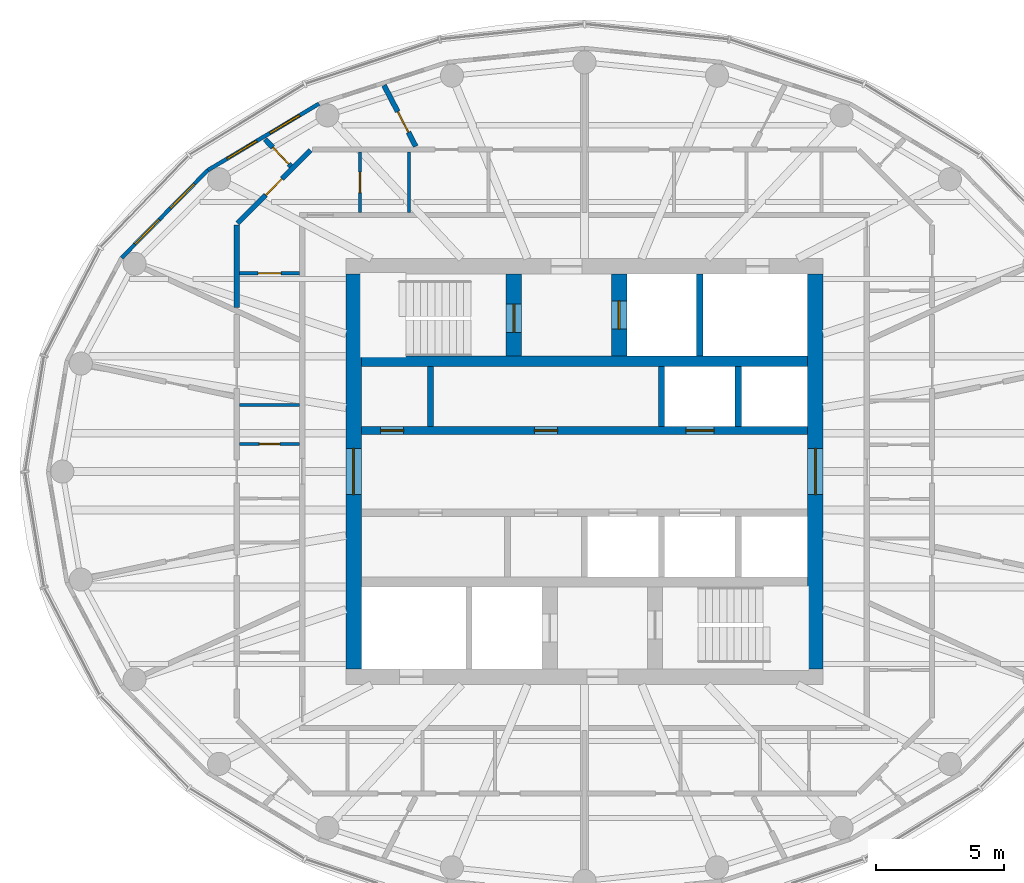
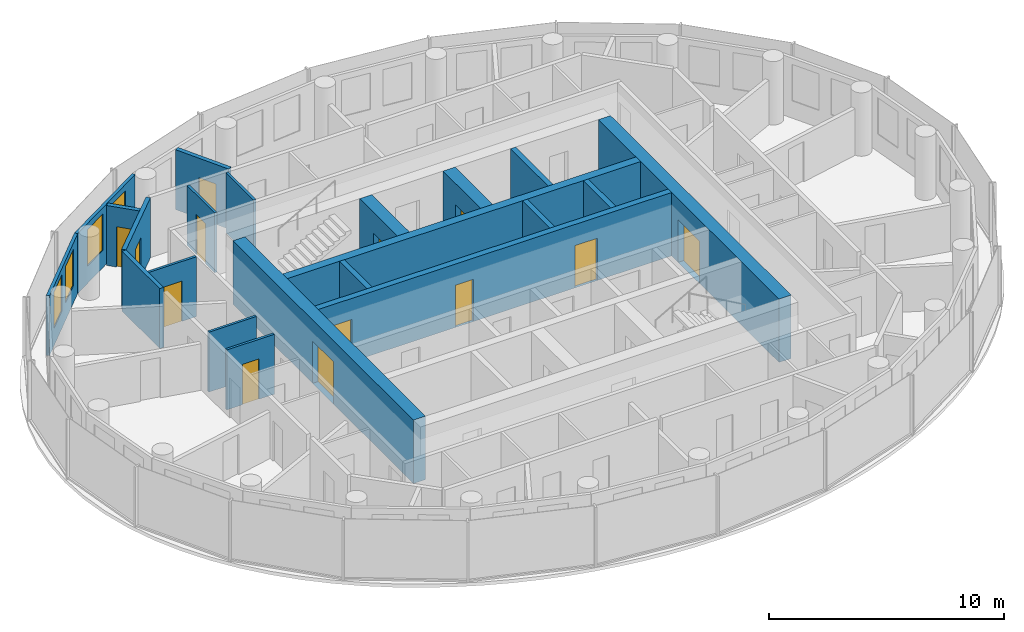
# One storey, part 7 of 11: 21 walls, 13 doors, 4 windows, 17 openings.
"""IFC4 building model written with IfcOpenShell, lengths in metres."""

import ifcopenshell
import ifcopenshell.guid

model = None  # the IFC model being written
_history = None  # IfcOwnerHistory: only IFC2X3 demands one
_inside = {}  # id of a spatial element -> (the spatial element, [elements in it])
_under = {}  # id of a project, library or spatial element -> (it, [spatial elements below it])
_declared = {}  # id of a project -> (the project, [libraries it declares])
_typed = {}  # id of a type object -> (the type object, [elements of that type])
_made_of = {}  # id of a material, layer set ... -> (it, [elements and type objects made of it])


def new_model(schema):
    """Start an empty IFC model of exactly this schema.

    Asked for "IFC4X3", IfcOpenShell would pick the latest addendum, in which some entities
    have other attributes; the version numbers below select the first issue.
    IFC2X3 requires an IfcOwnerHistory on every rooted entity: one is made here for all.
    """
    global model, _history
    if schema == "IFC4X3":
        model = ifcopenshell.file(schema_version=(4, 3, 0, 0))
    else:
        model = ifcopenshell.file(schema=schema)
    _inside.clear()
    _under.clear()
    _declared.clear()
    _typed.clear()
    _made_of.clear()
    _history = None
    if model.schema == "IFC2X3":
        org = make("IfcOrganization", Name="unknown")
        user = make(
            "IfcPersonAndOrganization",
            ThePerson=make("IfcPerson", FamilyName="unknown"),
            TheOrganization=org,
        )
        app = make(
            "IfcApplication",
            ApplicationDeveloper=org,
            Version="unknown",
            ApplicationFullName="unknown",
            ApplicationIdentifier="unknown",
        )
        _history = make(
            "IfcOwnerHistory",
            OwningUser=user,
            OwningApplication=app,
            ChangeAction="ADDED",
            CreationDate=0,
        )
    return model


def make(cls, **values):
    """One entity of the class cls with the attributes given. An attribute that is None is left unset."""
    return model.create_entity(
        cls, **{name: value for name, value in values.items() if value is not None}
    )


def rooted(cls, **values):
    """An entity with a GlobalId (a new one), such as an element, a storey or a relation."""
    return make(cls, GlobalId=ifcopenshell.guid.new(), OwnerHistory=_history, **values)


def si_unit(unit_type, name, prefix=None):
    """IfcSIUnit, for example si_unit("LENGTHUNIT", "METRE", prefix="MILLI")."""
    return make("IfcSIUnit", UnitType=unit_type, Prefix=prefix, Name=name)


def assignment(units):
    """IfcUnitAssignment: the units of a project."""
    return None if units is None else make("IfcUnitAssignment", Units=units)


def point(xyz):
    """IfcCartesianPoint."""
    return None if xyz is None else make("IfcCartesianPoint", Coordinates=xyz)


def direction(xyz):
    """IfcDirection."""
    return None if xyz is None else make("IfcDirection", DirectionRatios=xyz)


def frame(location, z_axis=None, x_axis=None):
    """IfcAxis2Placement3D, a coordinate frame: its origin and axes. An axis left out is left unset."""
    return make(
        "IfcAxis2Placement3D",
        Location=point(location),
        Axis=direction(z_axis),
        RefDirection=direction(x_axis),
    )


def frame_2d(location, x_axis=None):
    """IfcAxis2Placement2D, a coordinate frame in the plane: its origin and x axis."""
    return make(
        "IfcAxis2Placement2D", Location=point(location), RefDirection=direction(x_axis)
    )


def origin():
    """The frame at (0, 0, 0) with its axes left unset."""
    return frame((0.0, 0.0, 0.0))


def place(relative_to, where):
    """IfcLocalPlacement: puts the frame where relative to a parent placement (None: the world)."""
    return make(
        "IfcLocalPlacement", PlacementRelTo=relative_to, RelativePlacement=where
    )


def context(
    kind, dimensions, precision=None, world=None, true_north=None, identifier=None
):
    """IfcGeometricRepresentationContext, for example the 3D "Model" context."""
    return make(
        "IfcGeometricRepresentationContext",
        ContextIdentifier=identifier,
        ContextType=kind,
        CoordinateSpaceDimension=dimensions,
        Precision=precision,
        WorldCoordinateSystem=world,
        TrueNorth=true_north,
    )


def subcontext(parent, identifier, kind, view, scale=None):
    """IfcGeometricRepresentationSubContext, for example "Body" below "Model"."""
    return make(
        "IfcGeometricRepresentationSubContext",
        ContextIdentifier=identifier,
        ContextType=kind,
        ParentContext=parent,
        TargetScale=scale,
        TargetView=view,
    )


def project(units=None, contexts=None):
    """IfcProject with its units and contexts."""
    return rooted(
        "IfcProject",
        Name="project",
        RepresentationContexts=contexts,
        UnitsInContext=assignment(units),
    )


def spatial(cls, under=None, at=None, **own):
    """A site, building, storey or space (cls), placed at a placement, below another one or the project."""
    s = rooted(cls, ObjectPlacement=at, **own)
    if under is not None:
        _under.setdefault(under.id(), (under, []))[1].append(s)
    return s


def profile(cls, at=None, kind="AREA", **sizes):
    """A parametric profile (cls). Its sizes go by their IFC names, for example OverallWidth=200.0."""
    return make(cls, ProfileType=kind, Position=at, **sizes)


def rectangle(**sizes):
    """IfcRectangleProfileDef."""
    return profile("IfcRectangleProfileDef", **sizes)


def extrude(swept, where, along, depth):
    """IfcExtrudedAreaSolid: the profile swept, set in the frame where, extruded along a direction by depth."""
    return make(
        "IfcExtrudedAreaSolid",
        SweptArea=swept,
        Position=where,
        ExtrudedDirection=direction(along),
        Depth=depth,
    )


def shape(context_of_items, identifier, shape_type, items):
    """IfcShapeRepresentation: the items that make up one representation, for example the "Body"."""
    return make(
        "IfcShapeRepresentation",
        ContextOfItems=context_of_items,
        RepresentationIdentifier=identifier,
        RepresentationType=shape_type,
        Items=items,
    )


def material(Name=None, Category=None):
    """IfcMaterial."""
    return make("IfcMaterial", Name=Name, Category=Category)


def layer(
    of_material, thickness, ventilated=None, Name=None, Category=None, Priority=None
):
    """IfcMaterialLayer: one layer of a wall or slab, of a material (None: an air gap)."""
    return make(
        "IfcMaterialLayer",
        Material=of_material,
        LayerThickness=thickness,
        IsVentilated=ventilated,
        Name=Name,
        Category=Category,
        Priority=Priority,
    )


def layer_set(layers, Name=None):
    """IfcMaterialLayerSet."""
    return make("IfcMaterialLayerSet", MaterialLayers=layers, LayerSetName=Name)


def made_of(thing, what):
    """Note that an element or type object is made of a material, layer set ...; save() writes the relation."""
    if what is not None:
        _made_of.setdefault(what.id(), (what, []))[1].append(thing)
    return thing


def type_object(cls, material=None, **own):
    """A type object (cls), such as IfcWallType, which elements share."""
    return made_of(rooted(cls, **own), material)


def element(
    cls,
    number,
    at=None,
    inside=None,
    cuts=None,
    type_object=None,
    material=None,
    context=None,
    identifier="Body",
    shape_type=None,
    held_by="IfcProductDefinitionShape",
    body=None,
    shapes=None,
    **own,
):
    """One element of the class cls, such as IfcWall. Its Tag is "e" and its number.

    at: its placement. inside: the storey or other place that contains it. cuts: it is an
    opening in that element (IfcRelVoidsElement). A single representation is given by context,
    identifier, shape_type and body (its items); several are given by shapes. held_by: the class
    of the entity that holds the representations. save() writes the other relations.
    """
    e = rooted(cls, Tag="e%d" % number, ObjectPlacement=at, **own)
    if body is not None:
        shapes = [shape(context, identifier, shape_type, body)]
    if shapes is not None:
        e.Representation = make(held_by, Representations=shapes)
    if inside is not None:
        _inside.setdefault(inside.id(), (inside, []))[1].append(e)
    if cuts is not None:
        rooted(
            "IfcRelVoidsElement", RelatingBuildingElement=cuts, RelatedOpeningElement=e
        )
    if type_object is not None:
        _typed.setdefault(type_object.id(), (type_object, []))[1].append(e)
    return made_of(e, material)


def fill(opening, filler):
    """IfcRelFillsElement: the door or window that sits in an opening."""
    return rooted(
        "IfcRelFillsElement",
        RelatingOpeningElement=opening,
        RelatedBuildingElement=filler,
    )


def aggregate(whole, parts):
    """IfcRelAggregates: a whole, such as a stair, and the parts it consists of."""
    return rooted("IfcRelAggregates", RelatingObject=whole, RelatedObjects=parts)


def save(model, path):
    """Write the relations noted so far, then the file.

    IfcRelAggregates (storeys below a building ...), IfcRelContainedInSpatialStructure (elements
    in a storey), IfcRelDefinesByType, IfcRelAssociatesMaterial and IfcRelDeclares: one each for
    every whole, place, type object, material and project.
    """
    for whole, parts in _under.values():
        aggregate(whole, parts)
    for where, things in _inside.values():
        rooted(
            "IfcRelContainedInSpatialStructure",
            RelatedElements=things,
            RelatingStructure=where,
        )
    for kind, things in _typed.values():
        rooted("IfcRelDefinesByType", RelatedObjects=things, RelatingType=kind)
    for what, things in _made_of.values():
        rooted("IfcRelAssociatesMaterial", RelatedObjects=things, RelatingMaterial=what)
    for by, libraries in _declared.values():
        rooted("IfcRelDeclares", RelatingContext=by, RelatedDefinitions=libraries)
    model.write(path)


model = new_model("IFC4")

# Units and contexts
model_context = context("Model", 3, precision=1e-05, world=origin(), true_north=direction((0.0, 1.0)))
body_context = subcontext(model_context, "Body", "Model", "MODEL_VIEW")
ifc_project = project(units=[si_unit("LENGTHUNIT", "METRE"), si_unit("AREAUNIT", "SQUARE_METRE"), si_unit("VOLUMEUNIT", "CUBIC_METRE"), si_unit("PLANEANGLEUNIT", "RADIAN"), si_unit("MASSUNIT", "GRAM", prefix="KILO")], contexts=[model_context])

# Site, building, storey
site_placement = place(None, origin())
site = spatial("IfcSite", under=ifc_project, at=site_placement, CompositionType="ELEMENT")
building_placement = place(site_placement, origin())
building = spatial("IfcBuilding", under=site, at=building_placement, Name="Hankou Lantern Tower", CompositionType="ELEMENT")
storey_placement = place(building_placement, frame((0.0, 0.0, 225.89990234375)))
storey = spatial("IfcBuildingStorey", under=building, at=storey_placement, Name="L61", CompositionType="ELEMENT", Elevation=225.89990234375)

# Wall, opening, door
ifc_material_1 = material(Name="Concrete C60", Category="concrete")
ifc_layer_1 = layer(ifc_material_1, 0.60009765625)
ifc_layer_set_1 = layer_set([ifc_layer_1], Name="Concrete C60")
wall_type_1 = type_object("IfcWallType", Name="CW3 CORE WALL 600", PredefinedType="SHEAR", material=ifc_layer_set_1)
wall_1_placement = place(storey_placement, frame((9.0, -7.699951171875, 0.0), z_axis=(0.0, 0.0, 1.0), x_axis=(0.0, 1.0, 0.0)))
wall_1 = element("IfcWall", 1, at=wall_1_placement, inside=storey, type_object=wall_type_1, Name="Core wall east L61", PredefinedType="SHEAR", context=body_context, shape_type="SweptSolid", body=[
    extrude(rectangle(XDim=15.39990234375, YDim=0.60009765625, at=frame_2d((7.699951171875, 0.0))), origin(), (0.0, 0.0, 1.0), 3.300048828125),
])
opening_1_placement = place(wall_1_placement, frame((6.800048828125, 0.0, 0.0)))
opening_1 = element("IfcOpeningElement", 2, at=opening_1_placement, cuts=wall_1, Name="Opening D6", PredefinedType="OPENING", context=body_context, shape_type="SweptSolid", body=[
    extrude(rectangle(XDim=1.800048828125, YDim=2.199951171875, at=frame_2d((0.89990234375, 1.10009765625))), frame((0.0, 0.31005859375, 0.0), z_axis=(0.0, -1.0, 0.0), x_axis=(1.0, 0.0, 0.0)), (0.0, 0.0, 1.0), 0.6201171875),
])
ifc_material_2 = material(Name="Steel door leaf", Category="steel")
door_type_1 = type_object("IfcDoorType", Name="D6 LIFT LOBBY DOOR 1800X2200", OperationType="DOUBLE_DOOR_DOUBLE_SWING", PredefinedType="DOOR", material=ifc_material_2)
door_1_placement = place(opening_1_placement, origin())
door_1 = element("IfcDoor", 3, at=door_1_placement, inside=storey, type_object=door_type_1, Name="Lift lobby east door", OperationType="DOUBLE_DOOR_DOUBLE_SWING", OverallHeight=2.199951171875, OverallWidth=1.800048828125, PredefinedType="DOOR", context=body_context, shape_type="SweptSolid", body=[
    extrude(rectangle(XDim=1.800048828125, YDim=2.199951171875, at=frame_2d((0.89990234375, 1.10009765625))), frame((0.0, 0.02490234375, 0.0), z_axis=(0.0, -1.0, 0.0), x_axis=(1.0, 0.0, 0.0)), (0.0, 0.0, 1.0), 0.050048828125),
])
fill(opening_1, door_1)

wall_2_placement = place(storey_placement, frame((-9.0, 7.699951171875, 0.0), z_axis=(0.0, 0.0, 1.0), x_axis=(0.0, -1.0, 0.0)))
wall_2 = element("IfcWall", 4, at=wall_2_placement, inside=storey, type_object=wall_type_1, Name="Core wall west L61", PredefinedType="SHEAR", context=body_context, shape_type="SweptSolid", body=[
    extrude(rectangle(XDim=15.39990234375, YDim=0.60009765625, at=frame_2d((7.699951171875, 0.0))), origin(), (0.0, 0.0, 1.0), 3.300048828125),
])
opening_2_placement = place(wall_2_placement, frame((6.800048828125, 0.0, 0.0)))
opening_2 = element("IfcOpeningElement", 5, at=opening_2_placement, cuts=wall_2, Name="Opening D6", PredefinedType="OPENING", context=body_context, shape_type="SweptSolid", body=[
    extrude(rectangle(XDim=1.800048828125, YDim=2.199951171875, at=frame_2d((0.89990234375, 1.10009765625))), frame((0.0, 0.31005859375, 0.0), z_axis=(0.0, -1.0, 0.0), x_axis=(1.0, 0.0, 0.0)), (0.0, 0.0, 1.0), 0.6201171875),
])
door_2_placement = place(opening_2_placement, origin())
door_2 = element("IfcDoor", 6, at=door_2_placement, inside=storey, type_object=door_type_1, Name="Lift lobby west door", OperationType="DOUBLE_DOOR_DOUBLE_SWING", OverallHeight=2.199951171875, OverallWidth=1.800048828125, PredefinedType="DOOR", context=body_context, shape_type="SweptSolid", body=[
    extrude(rectangle(XDim=1.800048828125, YDim=2.199951171875, at=frame_2d((0.89990234375, 1.10009765625))), frame((0.0, 0.02490234375, 0.0), z_axis=(0.0, -1.0, 0.0), x_axis=(1.0, 0.0, 0.0)), (0.0, 0.0, 1.0), 0.050048828125),
])
fill(opening_2, door_2)

# Wall
ifc_material_3 = material(Name="Concrete C60", Category="concrete")
ifc_layer_2 = layer(ifc_material_3, 0.39990234375)
ifc_layer_set_2 = layer_set([ifc_layer_2], Name="Concrete C60")
wall_type_2 = type_object("IfcWallType", Name="CW4 CORE CROSS WALL 400", PredefinedType="SHEAR", material=ifc_layer_set_2)
wall_3_placement = place(storey_placement, frame((-8.699951171875, 4.300048828125, 0.0), z_axis=(0.0, 0.0, 1.0), x_axis=(1.0, 0.0, 0.0)))
element("IfcWall", 7, at=wall_3_placement, inside=storey, type_object=wall_type_2, Name="Core band wall north L61", PredefinedType="SHEAR", context=body_context, shape_type="SweptSolid", body=[
    extrude(rectangle(XDim=17.39990234375, YDim=0.39990234375, at=frame_2d((8.699951171875, 0.0))), origin(), (0.0, 0.0, 1.0), 3.300048828125),
])

# Wall, openings, doors
ifc_material_4 = material(Name="Concrete C60", Category="concrete")
ifc_layer_3 = layer(ifc_material_4, 0.300048828125)
ifc_layer_set_3 = layer_set([ifc_layer_3], Name="Concrete C60")
wall_type_3 = type_object("IfcWallType", Name="CW5 LIFT LOBBY WALL 300", PredefinedType="SHEAR", material=ifc_layer_set_3)
wall_4_placement = place(storey_placement, frame((-8.699951171875, 1.60009765625, 0.0), z_axis=(0.0, 0.0, 1.0), x_axis=(1.0, 0.0, 0.0)))
wall_4 = element("IfcWall", 8, at=wall_4_placement, inside=storey, type_object=wall_type_3, Name="Lift lobby wall north L61", PredefinedType="SHEAR", context=body_context, shape_type="SweptSolid", body=[
    extrude(rectangle(XDim=17.39990234375, YDim=0.300048828125, at=frame_2d((8.699951171875, 0.0))), origin(), (0.0, 0.0, 1.0), 3.300048828125),
])
opening_3_placement = place(wall_4_placement, frame((12.64990234375, 0.0, 0.0)))
opening_3 = element("IfcOpeningElement", 9, at=opening_3_placement, cuts=wall_4, Name="Opening LD1", PredefinedType="OPENING", context=body_context, shape_type="SweptSolid", body=[
    extrude(rectangle(XDim=1.10009765625, YDim=2.199951171875, at=frame_2d((0.550048828125, 1.10009765625))), frame((0.0, 0.159912109375, 0.0), z_axis=(0.0, -1.0, 0.0), x_axis=(1.0, 0.0, 0.0)), (0.0, 0.0, 1.0), 0.320068359375),
])
opening_4_placement = place(wall_4_placement, frame((0.75, 0.0, 0.0)))
opening_4 = element("IfcOpeningElement", 10, at=opening_4_placement, cuts=wall_4, Name="Opening D30", PredefinedType="OPENING", context=body_context, shape_type="SweptSolid", body=[
    extrude(rectangle(XDim=0.89990234375, YDim=2.199951171875, at=frame_2d((0.449951171875, 1.10009765625))), frame((0.0, 0.159912109375, 0.0), z_axis=(0.0, -1.0, 0.0), x_axis=(1.0, 0.0, 0.0)), (0.0, 0.0, 1.0), 0.320068359375),
])
opening_5_placement = place(wall_4_placement, frame((6.75, 0.0, 0.0)))
opening_5 = element("IfcOpeningElement", 11, at=opening_5_placement, cuts=wall_4, Name="Opening D30", PredefinedType="OPENING", context=body_context, shape_type="SweptSolid", body=[
    extrude(rectangle(XDim=0.89990234375, YDim=2.199951171875, at=frame_2d((0.449951171875, 1.10009765625))), frame((0.0, 0.159912109375, 0.0), z_axis=(0.0, -1.0, 0.0), x_axis=(1.0, 0.0, 0.0)), (0.0, 0.0, 1.0), 0.320068359375),
])
ifc_material_5 = material(Name="Steel door leaf", Category="steel")
door_type_2 = type_object("IfcDoorType", Name="D30 CORE ROOM DOOR 900X2200", OperationType="SINGLE_SWING_LEFT", PredefinedType="DOOR", material=ifc_material_5)
door_3_placement = place(opening_4_placement, origin())
door_3 = element("IfcDoor", 12, at=door_3_placement, inside=storey, type_object=door_type_2, Name="Staff locker room door", OperationType="SINGLE_SWING_LEFT", OverallHeight=2.199951171875, OverallWidth=0.89990234375, PredefinedType="DOOR", context=body_context, shape_type="SweptSolid", body=[
    extrude(rectangle(XDim=0.89990234375, YDim=2.199951171875, at=frame_2d((0.449951171875, 1.10009765625))), frame((0.0, 0.02490234375, 0.0), z_axis=(0.0, -1.0, 0.0), x_axis=(1.0, 0.0, 0.0)), (0.0, 0.0, 1.0), 0.050048828125),
])
fill(opening_4, door_3)
door_4_placement = place(opening_5_placement, origin())
door_4 = element("IfcDoor", 13, at=door_4_placement, inside=storey, type_object=door_type_2, Name="Housekeeping and linen store door", OperationType="SINGLE_SWING_LEFT", OverallHeight=2.199951171875, OverallWidth=0.89990234375, PredefinedType="DOOR", context=body_context, shape_type="SweptSolid", body=[
    extrude(rectangle(XDim=0.89990234375, YDim=2.199951171875, at=frame_2d((0.449951171875, 1.10009765625))), frame((0.0, 0.02490234375, 0.0), z_axis=(0.0, -1.0, 0.0), x_axis=(1.0, 0.0, 0.0)), (0.0, 0.0, 1.0), 0.050048828125),
])
fill(opening_5, door_4)
ifc_material_6 = material(Name="Steel door leaf", Category="steel")
door_type_3 = type_object("IfcDoorType", Name="LD1 LIFT LANDING DOOR 1100X2200", OperationType="DOUBLE_DOOR_SLIDING", PredefinedType="DOOR", material=ifc_material_6)
door_5_placement = place(opening_3_placement, origin())
door_5 = element("IfcDoor", 14, at=door_5_placement, inside=storey, type_object=door_type_3, Name="Lift T1 landing door", OperationType="DOUBLE_DOOR_SLIDING", OverallHeight=2.199951171875, OverallWidth=1.10009765625, PredefinedType="DOOR", context=body_context, shape_type="SweptSolid", body=[
    extrude(rectangle(XDim=1.10009765625, YDim=2.199951171875, at=frame_2d((0.550048828125, 1.10009765625))), frame((0.0, 0.02490234375, 0.0), z_axis=(0.0, -1.0, 0.0), x_axis=(1.0, 0.0, 0.0)), (0.0, 0.0, 1.0), 0.050048828125),
])
fill(opening_3, door_5)

# Wall, opening, door
ifc_material_7 = material(Name="Concrete C60", Category="concrete")
ifc_layer_4 = layer(ifc_material_7, 0.60009765625)
ifc_layer_set_4 = layer_set([ifc_layer_4], Name="Concrete C60")
wall_type_4 = type_object("IfcWallType", Name="CW6 STAIR AND SHAFT WALL 600", PredefinedType="SHEAR", material=ifc_layer_set_4)
wall_5_placement = place(storey_placement, frame((-2.75, 4.5, 0.0), z_axis=(0.0, 0.0, 1.0), x_axis=(0.0, 1.0, 0.0)))
wall_5 = element("IfcWall", 15, at=wall_5_placement, inside=storey, type_object=wall_type_4, Name="Stair wall L61", PredefinedType="SHEAR", context=body_context, shape_type="SweptSolid", body=[
    extrude(rectangle(XDim=3.199951171875, YDim=0.60009765625, at=frame_2d((1.60009765625, 0.0))), origin(), (0.0, 0.0, 1.0), 3.300048828125),
])
opening_6_placement = place(wall_5_placement, frame((0.925048828125, 0.0, 0.0)))
opening_6 = element("IfcOpeningElement", 16, at=opening_6_placement, cuts=wall_5, Name="Opening D4", PredefinedType="OPENING", context=body_context, shape_type="SweptSolid", body=[
    extrude(rectangle(XDim=1.10009765625, YDim=2.199951171875, at=frame_2d((0.550048828125, 1.10009765625))), frame((0.0, 0.31005859375, 0.0), z_axis=(0.0, -1.0, 0.0), x_axis=(1.0, 0.0, 0.0)), (0.0, 0.0, 1.0), 0.6201171875),
])
ifc_material_8 = material(Name="Steel door leaf", Category="steel")
door_type_4 = type_object("IfcDoorType", Name="D4 STAIR DOOR 1100X2200", OperationType="SINGLE_SWING_LEFT", PredefinedType="DOOR", material=ifc_material_8)
door_6_placement = place(opening_6_placement, origin())
door_6 = element("IfcDoor", 17, at=door_6_placement, inside=storey, type_object=door_type_4, Name="Stair A door", OperationType="SINGLE_SWING_LEFT", OverallHeight=2.199951171875, OverallWidth=1.10009765625, PredefinedType="DOOR", context=body_context, shape_type="SweptSolid", body=[
    extrude(rectangle(XDim=1.10009765625, YDim=2.199951171875, at=frame_2d((0.550048828125, 1.10009765625))), frame((0.0, 0.02490234375, 0.0), z_axis=(0.0, -1.0, 0.0), x_axis=(1.0, 0.0, 0.0)), (0.0, 0.0, 1.0), 0.050048828125),
])
fill(opening_6, door_6)

wall_6_placement = place(storey_placement, frame((1.35009765625, 4.5, 0.0), z_axis=(0.0, 0.0, 1.0), x_axis=(0.0, 1.0, 0.0)))
wall_6 = element("IfcWall", 18, at=wall_6_placement, inside=storey, type_object=wall_type_4, Name="Firefighting lift shaft wall L61", PredefinedType="SHEAR", context=body_context, shape_type="SweptSolid", body=[
    extrude(rectangle(XDim=3.199951171875, YDim=0.60009765625, at=frame_2d((1.60009765625, 0.0))), origin(), (0.0, 0.0, 1.0), 3.300048828125),
])
opening_7_placement = place(wall_6_placement, frame((1.050048828125, 0.0, 0.0)))
opening_7 = element("IfcOpeningElement", 19, at=opening_7_placement, cuts=wall_6, Name="Opening LD2", PredefinedType="OPENING", context=body_context, shape_type="SweptSolid", body=[
    extrude(rectangle(XDim=1.10009765625, YDim=2.199951171875, at=frame_2d((0.550048828125, 1.10009765625))), frame((0.0, 0.31005859375, 0.0), z_axis=(0.0, -1.0, 0.0), x_axis=(1.0, 0.0, 0.0)), (0.0, 0.0, 1.0), 0.6201171875),
])
ifc_material_9 = material(Name="Steel door leaf", Category="steel")
door_type_5 = type_object("IfcDoorType", Name="LD2 FIREFIGHTING LIFT LANDING DOOR 1100X2200", OperationType="DOUBLE_DOOR_SLIDING", PredefinedType="DOOR", material=ifc_material_9)
door_7_placement = place(opening_7_placement, origin())
door_7 = element("IfcDoor", 20, at=door_7_placement, inside=storey, type_object=door_type_5, Name="Firefighting lift FL1 landing door", OperationType="DOUBLE_DOOR_SLIDING", OverallHeight=2.199951171875, OverallWidth=1.10009765625, PredefinedType="DOOR", context=body_context, shape_type="SweptSolid", body=[
    extrude(rectangle(XDim=1.10009765625, YDim=2.199951171875, at=frame_2d((0.550048828125, 1.10009765625))), frame((0.0, 0.02490234375, 0.0), z_axis=(0.0, -1.0, 0.0), x_axis=(1.0, 0.0, 0.0)), (0.0, 0.0, 1.0), 0.050048828125),
])
fill(opening_7, door_7)

# Wall, openings, windows
ifc_material_10 = material(Name="Aluminium spandrel panel on steel studs", Category="steel")
ifc_layer_5 = layer(ifc_material_10, 0.14990234375)
ifc_layer_set_5 = layer_set([ifc_layer_5], Name="Aluminium spandrel panel on steel studs")
wall_type_5 = type_object("IfcWallType", Name="EW1 INNER SKIN WALL 150", PredefinedType="ELEMENTEDWALL", material=ifc_layer_set_5)
wall_7_placement = place(storey_placement, frame((-10.346435546875, 14.33642578125, 0.0), z_axis=(0.0, 0.0, 1.0), x_axis=(-0.85822150553, -0.513279502265, 0.0)))
wall_7 = element("IfcWall", 21, at=wall_7_placement, inside=storey, type_object=wall_type_5, Name="Inner skin R09-R10 L61", PredefinedType="ELEMENTEDWALL", context=body_context, shape_type="SweptSolid", body=[
    extrude(rectangle(XDim=5.050048828125, YDim=0.14990234375, at=frame_2d((2.52490234375, 0.0))), origin(), (0.0, 0.0, 1.0), 3.1201171875),
])
opening_8_placement = place(wall_7_placement, frame((0.875, 0.0, 0.89990234375)))
opening_8 = element("IfcOpeningElement", 22, at=opening_8_placement, cuts=wall_7, Name="Opening W4", PredefinedType="OPENING", context=body_context, shape_type="SweptSolid", body=[
    extrude(rectangle(XDim=1.35009765625, YDim=1.89990234375, at=frame_2d((0.675048828125, 0.949951171875))), frame((0.0, 0.0849609375, 0.0), z_axis=(0.0, -1.0, 0.0), x_axis=(1.0, 0.0, 0.0)), (0.0, 0.0, 1.0), 0.169921875),
])
opening_9_placement = place(wall_7_placement, frame((2.824951171875, 0.0, 0.89990234375)))
opening_9 = element("IfcOpeningElement", 23, at=opening_9_placement, cuts=wall_7, Name="Opening W4", PredefinedType="OPENING", context=body_context, shape_type="SweptSolid", body=[
    extrude(rectangle(XDim=1.35009765625, YDim=1.89990234375, at=frame_2d((0.675048828125, 0.949951171875))), frame((0.0, 0.0849609375, 0.0), z_axis=(0.0, -1.0, 0.0), x_axis=(1.0, 0.0, 0.0)), (0.0, 0.0, 1.0), 0.169921875),
])
ifc_material_11 = material(Name="Aluminium framed double glazed window", Category="aluminium")
window_type = type_object("IfcWindowType", Name="W4 SUITE WINDOW 1350X1900", PartitioningType="DOUBLE_PANEL_VERTICAL", PredefinedType="WINDOW", material=ifc_material_11)
window_1_placement = place(opening_8_placement, origin())
window_1 = element("IfcWindow", 24, at=window_1_placement, inside=storey, type_object=window_type, Name="Window R09.1 L61", OverallHeight=1.89990234375, OverallWidth=1.35009765625, PartitioningType="SINGLE_PANEL", PredefinedType="WINDOW", context=body_context, shape_type="SweptSolid", body=[
    extrude(rectangle(XDim=1.35009765625, YDim=1.89990234375, at=frame_2d((0.675048828125, 0.949951171875))), frame((0.0, 0.030029296875, 0.0), z_axis=(0.0, -1.0, 0.0), x_axis=(1.0, 0.0, 0.0)), (0.0, 0.0, 1.0), 0.06005859375),
])
fill(opening_8, window_1)
window_2_placement = place(opening_9_placement, origin())
window_2 = element("IfcWindow", 25, at=window_2_placement, inside=storey, type_object=window_type, Name="Window R09.2 L61", OverallHeight=1.89990234375, OverallWidth=1.35009765625, PartitioningType="SINGLE_PANEL", PredefinedType="WINDOW", context=body_context, shape_type="SweptSolid", body=[
    extrude(rectangle(XDim=1.35009765625, YDim=1.89990234375, at=frame_2d((0.675048828125, 0.949951171875))), frame((0.0, 0.030029296875, 0.0), z_axis=(0.0, -1.0, 0.0), x_axis=(1.0, 0.0, 0.0)), (0.0, 0.0, 1.0), 0.06005859375),
])
fill(opening_9, window_2)

wall_8_placement = place(storey_placement, frame((-14.680419921875, 11.744384765625, 0.0), z_axis=(0.0, 0.0, 1.0), x_axis=(-0.701527379618, -0.712642501993, 0.0)))
wall_8 = element("IfcWall", 26, at=wall_8_placement, inside=storey, type_object=wall_type_5, Name="Inner skin R10-R11 L61", PredefinedType="ELEMENTEDWALL", context=body_context, shape_type="SweptSolid", body=[
    extrude(rectangle(XDim=4.788330078125, YDim=0.14990234375, at=frame_2d((2.39404296875, 0.0))), origin(), (0.0, 0.0, 1.0), 3.1201171875),
])
opening_10_placement = place(wall_8_placement, frame((0.744140625, 0.0, 0.89990234375)))
opening_10 = element("IfcOpeningElement", 27, at=opening_10_placement, cuts=wall_8, Name="Opening W4", PredefinedType="OPENING", context=body_context, shape_type="SweptSolid", body=[
    extrude(rectangle(XDim=1.35009765625, YDim=1.89990234375, at=frame_2d((0.675048828125, 0.949951171875))), frame((0.0, 0.0849609375, 0.0), z_axis=(0.0, -1.0, 0.0), x_axis=(1.0, 0.0, 0.0)), (0.0, 0.0, 1.0), 0.169921875),
])
opening_11_placement = place(wall_8_placement, frame((2.694091796875, 0.0, 0.89990234375)))
opening_11 = element("IfcOpeningElement", 28, at=opening_11_placement, cuts=wall_8, Name="Opening W4", PredefinedType="OPENING", context=body_context, shape_type="SweptSolid", body=[
    extrude(rectangle(XDim=1.35009765625, YDim=1.89990234375, at=frame_2d((0.675048828125, 0.949951171875))), frame((0.0, 0.0849609375, 0.0), z_axis=(0.0, -1.0, 0.0), x_axis=(1.0, 0.0, 0.0)), (0.0, 0.0, 1.0), 0.169921875),
])
window_3_placement = place(opening_10_placement, origin())
window_3 = element("IfcWindow", 29, at=window_3_placement, inside=storey, type_object=window_type, Name="Window R10.1 L61", OverallHeight=1.89990234375, OverallWidth=1.35009765625, PartitioningType="SINGLE_PANEL", PredefinedType="WINDOW", context=body_context, shape_type="SweptSolid", body=[
    extrude(rectangle(XDim=1.35009765625, YDim=1.89990234375, at=frame_2d((0.675048828125, 0.949951171875))), frame((0.0, 0.030029296875, 0.0), z_axis=(0.0, -1.0, 0.0), x_axis=(1.0, 0.0, 0.0)), (0.0, 0.0, 1.0), 0.06005859375),
])
fill(opening_10, window_3)
window_4_placement = place(opening_11_placement, origin())
window_4 = element("IfcWindow", 30, at=window_4_placement, inside=storey, type_object=window_type, Name="Window R10.2 L61", OverallHeight=1.89990234375, OverallWidth=1.35009765625, PartitioningType="SINGLE_PANEL", PredefinedType="WINDOW", context=body_context, shape_type="SweptSolid", body=[
    extrude(rectangle(XDim=1.35009765625, YDim=1.89990234375, at=frame_2d((0.675048828125, 0.949951171875))), frame((0.0, 0.030029296875, 0.0), z_axis=(0.0, -1.0, 0.0), x_axis=(1.0, 0.0, 0.0)), (0.0, 0.0, 1.0), 0.06005859375),
])
fill(opening_11, window_4)

# Wall
ifc_material_12 = material(Name="Masonry lightweight concrete block", Category="masonry")
ifc_layer_6 = layer(ifc_material_12, 0.1201171875)
ifc_layer_set_6 = layer_set([ifc_layer_6], Name="Masonry lightweight concrete block")
wall_type_6 = type_object("IfcWallType", Name="IW3 BATHROOM WALL 120", PredefinedType="PARTITIONING", material=ifc_layer_set_6)
wall_9_placement = place(storey_placement, frame((-6.838134765625, 10.10009765625, 0.0), z_axis=(0.0, 0.0, 1.0), x_axis=(0.0, 1.0, 0.0)))
element("IfcWall", 31, at=wall_9_placement, inside=storey, type_object=wall_type_6, Name="Box wall 6102 2", PredefinedType="PARTITIONING", context=body_context, shape_type="SweptSolid", body=[
    extrude(rectangle(XDim=2.349853515625, YDim=0.1201171875, at=frame_2d((1.1748046875, 0.0))), origin(), (0.0, 0.0, 1.0), 3.1201171875),
])

# Wall, opening, door
wall_10_placement = place(storey_placement, frame((-8.7509765625, 10.10009765625, 0.0), z_axis=(0.0, 0.0, 1.0), x_axis=(0.0, 1.0, 0.0)))
wall_10 = element("IfcWall", 32, at=wall_10_placement, inside=storey, type_object=wall_type_6, Name="Box wall 6102 3", PredefinedType="PARTITIONING", context=body_context, shape_type="SweptSolid", body=[
    extrude(rectangle(XDim=2.349853515625, YDim=0.1201171875, at=frame_2d((1.1748046875, 0.0))), origin(), (0.0, 0.0, 1.0), 3.1201171875),
])
opening_12_placement = place(wall_10_placement, frame((0.77001953125, 0.0, 0.0)))
opening_12 = element("IfcOpeningElement", 33, at=opening_12_placement, cuts=wall_10, Name="Opening D3", PredefinedType="OPENING", context=body_context, shape_type="SweptSolid", body=[
    extrude(rectangle(XDim=0.800048828125, YDim=2.10009765625, at=frame_2d((0.39990234375, 1.050048828125))), frame((0.0, 0.070068359375, 0.0), z_axis=(0.0, -1.0, 0.0), x_axis=(1.0, 0.0, 0.0)), (0.0, 0.0, 1.0), 0.14013671875),
])
ifc_material_13 = material(Name="Timber door leaf", Category="wood")
door_type_6 = type_object("IfcDoorType", Name="D3 BATHROOM DOOR 800X2100", OperationType="SINGLE_SWING_LEFT", PredefinedType="DOOR", material=ifc_material_13)
door_8_placement = place(opening_12_placement, origin())
door_8 = element("IfcDoor", 34, at=door_8_placement, inside=storey, type_object=door_type_6, Name="Corner suite 6102 guest WC door", OperationType="SINGLE_SWING_LEFT", OverallHeight=2.10009765625, OverallWidth=0.800048828125, PredefinedType="DOOR", context=body_context, shape_type="SweptSolid", body=[
    extrude(rectangle(XDim=0.800048828125, YDim=2.10009765625, at=frame_2d((0.39990234375, 1.050048828125))), frame((0.0, 0.02490234375, 0.0), z_axis=(0.0, -1.0, 0.0), x_axis=(1.0, 0.0, 0.0)), (0.0, 0.0, 1.0), 0.050048828125),
])
fill(opening_12, door_8)

wall_11_placement = place(storey_placement, frame((-11.10009765625, 7.72900390625, 0.0), z_axis=(0.0, 0.0, 1.0), x_axis=(-1.0, 0.0, 0.0)))
wall_11 = element("IfcWall", 35, at=wall_11_placement, inside=storey, type_object=wall_type_6, Name="Box wall 6102 4", PredefinedType="PARTITIONING", context=body_context, shape_type="SweptSolid", body=[
    extrude(rectangle(XDim=2.349853515625, YDim=0.1201171875, at=frame_2d((1.1748046875, 0.0))), origin(), (0.0, 0.0, 1.0), 3.1201171875),
])
opening_13_placement = place(wall_11_placement, frame((0.719970703125, 0.0, 0.0)))
opening_13 = element("IfcOpeningElement", 36, at=opening_13_placement, cuts=wall_11, Name="Opening D27", PredefinedType="OPENING", context=body_context, shape_type="SweptSolid", body=[
    extrude(rectangle(XDim=0.89990234375, YDim=2.10009765625, at=frame_2d((0.449951171875, 1.050048828125))), frame((0.0, 0.070068359375, 0.0), z_axis=(0.0, -1.0, 0.0), x_axis=(1.0, 0.0, 0.0)), (0.0, 0.0, 1.0), 0.14013671875),
])
ifc_material_14 = material(Name="Timber door leaf", Category="wood")
door_type_7 = type_object("IfcDoorType", Name="D27 INTERNAL DOOR 900X2100", OperationType="SINGLE_SWING_LEFT", PredefinedType="DOOR", material=ifc_material_14)
door_9_placement = place(opening_13_placement, origin())
door_9 = element("IfcDoor", 37, at=door_9_placement, inside=storey, type_object=door_type_7, Name="Corner suite 6102 pantry door", OperationType="SINGLE_SWING_LEFT", OverallHeight=2.10009765625, OverallWidth=0.89990234375, PredefinedType="DOOR", context=body_context, shape_type="SweptSolid", body=[
    extrude(rectangle(XDim=0.89990234375, YDim=2.10009765625, at=frame_2d((0.449951171875, 1.050048828125))), frame((0.0, 0.02490234375, 0.0), z_axis=(0.0, -1.0, 0.0), x_axis=(1.0, 0.0, 0.0)), (0.0, 0.0, 1.0), 0.050048828125),
])
fill(opening_13, door_9)

# Wall
wall_12_placement = place(storey_placement, frame((-11.10009765625, 2.601806640625, 0.0), z_axis=(0.0, 0.0, 1.0), x_axis=(-1.0, 0.0, 0.0)))
element("IfcWall", 38, at=wall_12_placement, inside=storey, type_object=wall_type_6, Name="Box wall 6103 1", PredefinedType="PARTITIONING", context=body_context, shape_type="SweptSolid", body=[
    extrude(rectangle(XDim=2.349853515625, YDim=0.1201171875, at=frame_2d((1.1748046875, 0.0))), origin(), (0.0, 0.0, 1.0), 3.1201171875),
])

# Wall, opening, door
wall_13_placement = place(storey_placement, frame((-11.10009765625, 1.075439453125, 0.0), z_axis=(0.0, 0.0, 1.0), x_axis=(-1.0, 0.0, 0.0)))
wall_13 = element("IfcWall", 39, at=wall_13_placement, inside=storey, type_object=wall_type_6, Name="Box wall 6103 2", PredefinedType="PARTITIONING", context=body_context, shape_type="SweptSolid", body=[
    extrude(rectangle(XDim=2.349853515625, YDim=0.1201171875, at=frame_2d((1.1748046875, 0.0))), origin(), (0.0, 0.0, 1.0), 3.1201171875),
])
opening_14_placement = place(wall_13_placement, frame((0.77001953125, 0.0, 0.0)))
opening_14 = element("IfcOpeningElement", 40, at=opening_14_placement, cuts=wall_13, Name="Opening D3", PredefinedType="OPENING", context=body_context, shape_type="SweptSolid", body=[
    extrude(rectangle(XDim=0.800048828125, YDim=2.10009765625, at=frame_2d((0.39990234375, 1.050048828125))), frame((0.0, 0.070068359375, 0.0), z_axis=(0.0, -1.0, 0.0), x_axis=(1.0, 0.0, 0.0)), (0.0, 0.0, 1.0), 0.14013671875),
])
door_10_placement = place(opening_14_placement, origin())
door_10 = element("IfcDoor", 41, at=door_10_placement, inside=storey, type_object=door_type_6, Name="Family suite 6103 guest WC door", OperationType="SINGLE_SWING_LEFT", OverallHeight=2.10009765625, OverallWidth=0.800048828125, PredefinedType="DOOR", context=body_context, shape_type="SweptSolid", body=[
    extrude(rectangle(XDim=0.800048828125, YDim=2.10009765625, at=frame_2d((0.39990234375, 1.050048828125))), frame((0.0, 0.02490234375, 0.0), z_axis=(0.0, -1.0, 0.0), x_axis=(1.0, 0.0, 0.0)), (0.0, 0.0, 1.0), 0.050048828125),
])
fill(opening_14, door_10)

ifc_material_15 = material(Name="Masonry lightweight concrete block", Category="masonry")
ifc_layer_7 = layer(ifc_material_15, 0.199951171875)
ifc_layer_set_7 = layer_set([ifc_layer_7], Name="Masonry lightweight concrete block")
wall_type_7 = type_object("IfcWallType", Name="IW6 SUITE PARTITION 200", PredefinedType="PARTITIONING", material=ifc_layer_set_7)
wall_14_placement = place(storey_placement, frame((-10.67919921875, 12.520751953125, 0.0), z_axis=(0.0, 0.0, 1.0), x_axis=(-0.707106781187, -0.707106781187, 0.0)))
wall_14 = element("IfcWall", 42, at=wall_14_placement, inside=storey, type_object=wall_type_7, Name="Suite foyer wall 6102", PredefinedType="PARTITIONING", context=body_context, shape_type="SweptSolid", body=[
    extrude(rectangle(XDim=4.0185546875, YDim=0.199951171875, at=frame_2d((2.00927734375, 0.0))), origin(), (0.0, 0.0, 1.0), 3.1201171875),
])
opening_15_placement = place(wall_14_placement, frame((1.570068359375, 0.0, 0.0)))
opening_15 = element("IfcOpeningElement", 43, at=opening_15_placement, cuts=wall_14, Name="Opening D27", PredefinedType="OPENING", context=body_context, shape_type="SweptSolid", body=[
    extrude(rectangle(XDim=0.89990234375, YDim=2.10009765625, at=frame_2d((0.449951171875, 1.050048828125))), frame((0.0, 0.10986328125, 0.0), z_axis=(0.0, -1.0, 0.0), x_axis=(1.0, 0.0, 0.0)), (0.0, 0.0, 1.0), 0.219970703125),
])
door_11_placement = place(opening_15_placement, origin())
door_11 = element("IfcDoor", 44, at=door_11_placement, inside=storey, type_object=door_type_7, Name="Corner suite 6102 living room door", OperationType="SINGLE_SWING_RIGHT", OverallHeight=2.10009765625, OverallWidth=0.89990234375, PredefinedType="DOOR", context=body_context, shape_type="SweptSolid", body=[
    extrude(rectangle(XDim=0.89990234375, YDim=2.10009765625, at=frame_2d((0.449951171875, 1.050048828125))), frame((0.0, 0.02490234375, 0.0), z_axis=(0.0, -1.0, 0.0), x_axis=(1.0, 0.0, 0.0)), (0.0, 0.0, 1.0), 0.050048828125),
])
fill(opening_15, door_11)

# Wall
wall_15_placement = place(storey_placement, frame((-13.550048828125, 9.608642578125, 0.0), z_axis=(0.0, 0.0, 1.0), x_axis=(0.0, -1.0, 0.0)))
element("IfcWall", 45, at=wall_15_placement, inside=storey, type_object=wall_type_7, Name="Suite foyer wall 6102", PredefinedType="PARTITIONING", context=body_context, shape_type="SweptSolid", body=[
    extrude(rectangle(XDim=3.2138671875, YDim=0.199951171875, at=frame_2d((1.60693359375, 0.0))), origin(), (0.0, 0.0, 1.0), 3.1201171875),
])

# Wall, opening, door
wall_16_placement = place(storey_placement, frame((-6.578125, 12.676513671875, 0.0), z_axis=(0.0, 0.0, 1.0), x_axis=(-0.460620531465, 0.887597164255, 0.0)))
wall_16 = element("IfcWall", 46, at=wall_16_placement, inside=storey, type_object=wall_type_7, Name="Suite partition R08-R09", PredefinedType="PARTITIONING", context=body_context, shape_type="SweptSolid", body=[
    extrude(rectangle(XDim=2.677734375, YDim=0.199951171875, at=frame_2d((1.3388671875, 0.0))), origin(), (0.0, 0.0, 1.0), 3.1201171875),
])
opening_16_placement = place(wall_16_placement, frame((0.6201171875, 0.0, 0.0)))
opening_16 = element("IfcOpeningElement", 47, at=opening_16_placement, cuts=wall_16, Name="Opening D27", PredefinedType="OPENING", context=body_context, shape_type="SweptSolid", body=[
    extrude(rectangle(XDim=0.89990234375, YDim=2.10009765625, at=frame_2d((0.449951171875, 1.050048828125))), frame((0.0, 0.10986328125, 0.0), z_axis=(0.0, -1.0, 0.0), x_axis=(1.0, 0.0, 0.0)), (0.0, 0.0, 1.0), 0.219970703125),
])
door_12_placement = place(opening_16_placement, origin())
door_12 = element("IfcDoor", 48, at=door_12_placement, inside=storey, type_object=door_type_7, Name="Corner suite 6102 dining room door", OperationType="SINGLE_SWING_LEFT", OverallHeight=2.10009765625, OverallWidth=0.89990234375, PredefinedType="DOOR", context=body_context, shape_type="SweptSolid", body=[
    extrude(rectangle(XDim=0.89990234375, YDim=2.10009765625, at=frame_2d((0.449951171875, 1.050048828125))), frame((0.0, 0.02490234375, 0.0), z_axis=(0.0, -1.0, 0.0), x_axis=(1.0, 0.0, 0.0)), (0.0, 0.0, 1.0), 0.050048828125),
])
fill(opening_16, door_12)

wall_17_placement = place(storey_placement, frame((-11.44091796875, 11.900390625, 0.0), z_axis=(0.0, 0.0, 1.0), x_axis=(-0.692958717259, 0.720977264672, 0.0)))
wall_17 = element("IfcWall", 49, at=wall_17_placement, inside=storey, type_object=wall_type_7, Name="Suite partition R09-R10", PredefinedType="PARTITIONING", context=body_context, shape_type="SweptSolid", body=[
    extrude(rectangle(XDim=1.4638671875, YDim=0.199951171875, at=frame_2d((0.73193359375, 0.0))), origin(), (0.0, 0.0, 1.0), 3.1201171875),
])
opening_17_placement = place(wall_17_placement, frame((0.1201171875, 0.0, 0.0)))
opening_17 = element("IfcOpeningElement", 50, at=opening_17_placement, cuts=wall_17, Name="Opening D27", PredefinedType="OPENING", context=body_context, shape_type="SweptSolid", body=[
    extrude(rectangle(XDim=0.89990234375, YDim=2.10009765625, at=frame_2d((0.449951171875, 1.050048828125))), frame((0.0, 0.10986328125, 0.0), z_axis=(0.0, -1.0, 0.0), x_axis=(1.0, 0.0, 0.0)), (0.0, 0.0, 1.0), 0.219970703125),
])
door_13_placement = place(opening_17_placement, origin())
door_13 = element("IfcDoor", 51, at=door_13_placement, inside=storey, type_object=door_type_7, Name="Corner suite 6102 dining room door", OperationType="SINGLE_SWING_LEFT", OverallHeight=2.10009765625, OverallWidth=0.89990234375, PredefinedType="DOOR", context=body_context, shape_type="SweptSolid", body=[
    extrude(rectangle(XDim=0.89990234375, YDim=2.10009765625, at=frame_2d((0.449951171875, 1.050048828125))), frame((0.0, 0.02490234375, 0.0), z_axis=(0.0, -1.0, 0.0), x_axis=(1.0, 0.0, 0.0)), (0.0, 0.0, 1.0), 0.050048828125),
])
fill(opening_17, door_13)

# Walls
ifc_material_16 = material(Name="Masonry autoclaved aerated concrete block", Category="masonry")
ifc_layer_8 = layer(ifc_material_16, 0.25)
ifc_layer_set_8 = layer_set([ifc_layer_8], Name="Masonry autoclaved aerated concrete block")
wall_type_8 = type_object("IfcWallType", Name="SW1 SHAFT BLOCK WALL 250", PredefinedType="PARTITIONING", material=ifc_layer_set_8)
wall_18_placement = place(storey_placement, frame((4.5, 4.5, 0.0), z_axis=(0.0, 0.0, 1.0), x_axis=(0.0, 1.0, 0.0)))
element("IfcWall", 52, at=wall_18_placement, inside=storey, type_object=wall_type_8, Name="Riser wall L61", PredefinedType="PARTITIONING", context=body_context, shape_type="SweptSolid", body=[
    extrude(rectangle(XDim=3.199951171875, YDim=0.25, at=frame_2d((1.60009765625, 0.0))), origin(), (0.0, 0.0, 1.0), 3.300048828125),
])
for number, where, z_axis, x_axis, name in (
    (53, (-6.0, 1.75, 0.0), (0.0, 0.0, 1.0), (0.0, 1.0, 0.0), "Lift shaft wall L61"),
    (54, (3.0, 1.75, 0.0), (0.0, 0.0, 1.0), (0.0, 1.0, 0.0), "Lift shaft wall L61"),
    (55, (6.0, 1.75, 0.0), (0.0, 0.0, 1.0), (0.0, 1.0, 0.0), "Lift shaft wall L61"),
):
    element("IfcWall", number, at=place(storey_placement, frame(where, z_axis=z_axis, x_axis=x_axis)), inside=storey, type_object=wall_type_8, Name=name, PredefinedType="PARTITIONING", context=body_context, shape_type="SweptSolid", body=[
        extrude(rectangle(XDim=2.35009765625, YDim=0.25, at=frame_2d((1.175048828125, 0.0))), origin(), (0.0, 0.0, 1.0), 3.300048828125),
    ])

save(model, "model.ifc")
